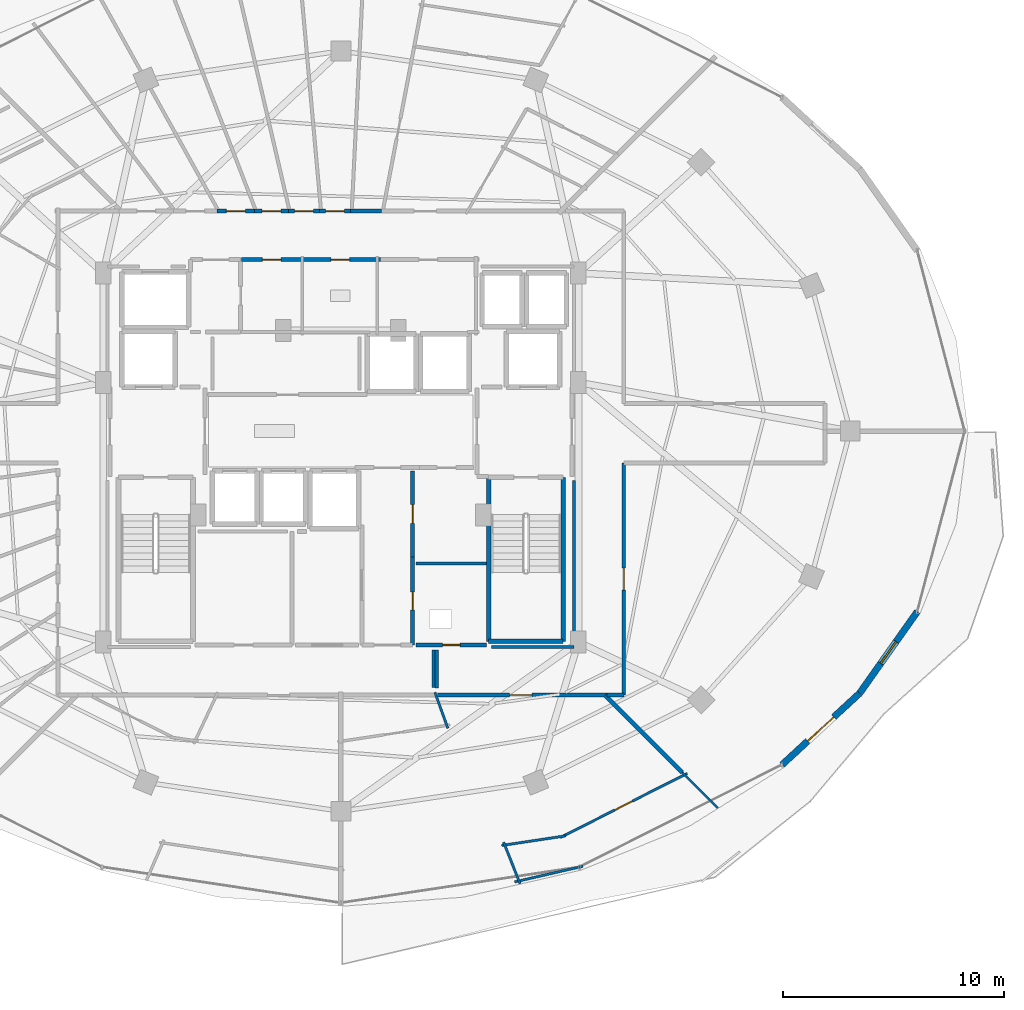
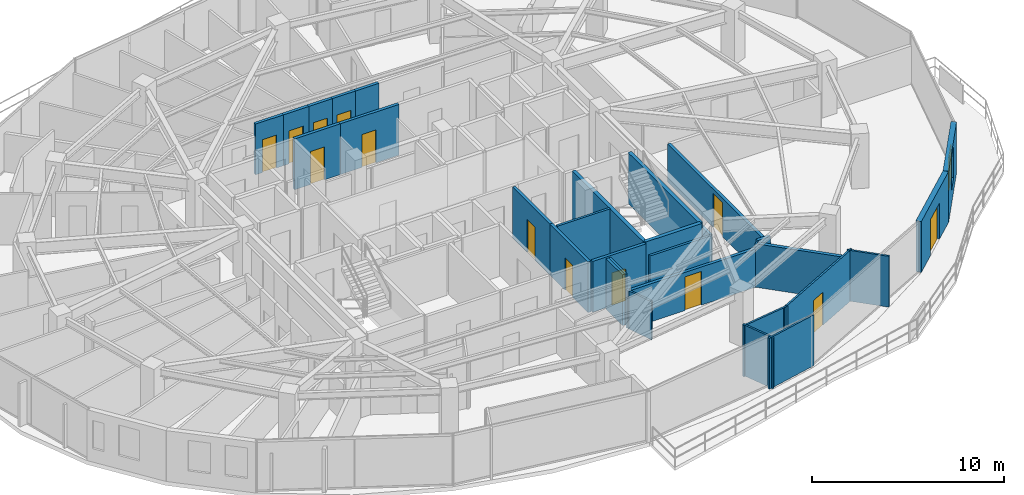
# One storey, part 25 of 31: 30 walls, 13 doors, 1 window, 14 openings.
"""IFC4 building model written with IfcOpenShell, lengths in metres."""

from ifc_helpers import new_model, si_unit, direction, frame, frame_2d, origin, place, context, subcontext, project, spatial, rectangle, extrude, material, layer, layer_set, type_object, element, fill, save


model = new_model("IFC4")

# Units and contexts
model_context = context("Model", 3, precision=1e-05, world=origin(), true_north=direction((0.0, 1.0)))
body_context = subcontext(model_context, "Body", "Model", "MODEL_VIEW")
ifc_project = project(units=[si_unit("LENGTHUNIT", "METRE"), si_unit("AREAUNIT", "SQUARE_METRE"), si_unit("VOLUMEUNIT", "CUBIC_METRE"), si_unit("PLANEANGLEUNIT", "RADIAN"), si_unit("MASSUNIT", "GRAM", prefix="KILO")], contexts=[model_context])

# Site, building, storey
site_placement = place(None, origin())
site = spatial("IfcSite", under=ifc_project, at=site_placement, CompositionType="ELEMENT")
building_placement = place(site_placement, origin())
building = spatial("IfcBuilding", under=site, at=building_placement, Name="Vorneva Point Tower", CompositionType="ELEMENT")
storey_placement = place(building_placement, frame((0.0, 0.0, 193.10009765625)))
storey = spatial("IfcBuildingStorey", under=building, at=storey_placement, Name="L52", CompositionType="ELEMENT", Elevation=193.10009765625)

# Wall, opening, door
ifc_material_1 = material(Name="Precast concrete B50 (C40/50)", Category="concrete")
ifc_layer_1 = layer(ifc_material_1, 0.300048828125)
ifc_layer_set_1 = layer_set([ifc_layer_1], Name="Precast concrete B50 (C40/50)")
wall_type_1 = type_object("IfcWallType", Name="WL-EXT-300", PredefinedType="STANDARD", material=ifc_layer_set_1)
wall_1_placement = place(storey_placement, frame((57.961669921875, 10.9033203125, 0.0), z_axis=(0.0, 0.0, 1.0), x_axis=(0.735359993374, 0.677676678177, 0.0)))
wall_1 = element("IfcWall", 1, at=wall_1_placement, inside=storey, type_object=wall_type_1, Name="L52 Pale-Metal Facade Spandrel Wall 15.1", PredefinedType="STANDARD", context=body_context, shape_type="SweptSolid", body=[
    extrude(rectangle(XDim=4.774169921875, YDim=0.300048828125, at=frame_2d((2.38720703125, 0.0))), origin(), (0.0, 0.0, 1.0), 3.239990234375),
])
opening_1_placement = place(wall_1_placement, frame((1.587158203125, 0.0, 0.0)))
opening_1 = element("IfcOpeningElement", 2, at=opening_1_placement, cuts=wall_1, Name="Opening BD-01", PredefinedType="OPENING", context=body_context, shape_type="SweptSolid", body=[
    extrude(rectangle(XDim=1.60009765625, YDim=2.300048828125, at=frame_2d((0.800048828125, 1.14990234375))), frame((0.0, 0.1650390625, 0.0), z_axis=(0.0, -1.0, 0.0), x_axis=(1.0, 0.0, 0.0)), (0.0, 0.0, 1.0), 0.329833984375),
])
ifc_material_2 = material(Name="Pale anodised aluminium", Category="aluminium")
door_type_1 = type_object("IfcDoorType", Name="DR-BAL-1600", OperationType="SLIDING_TO_LEFT", PredefinedType="DOOR", material=ifc_material_2)
door_1_placement = place(opening_1_placement, origin())
door_1 = element("IfcDoor", 3, at=door_1_placement, inside=storey, type_object=door_type_1, Name="L52 Balcony Terrace Access Door 15", OperationType="SLIDING_TO_LEFT", OverallHeight=2.300048828125, OverallWidth=1.60009765625, PredefinedType="DOOR", context=body_context, shape_type="SweptSolid", body=[
    extrude(rectangle(XDim=1.60009765625, YDim=2.300048828125, at=frame_2d((0.800048828125, 1.14990234375))), frame((0.0, 0.02490234375, 0.0), z_axis=(0.0, -1.0, 0.0), x_axis=(1.0, 0.0, 0.0)), (0.0, 0.0, 1.0), 0.050048828125),
])
fill(opening_1, door_1)

# Wall, opening, window
wall_2_placement = place(storey_placement, frame((61.472412109375, 14.138671875, 0.0), z_axis=(0.0, 0.0, 1.0), x_axis=(0.577168747264, 0.81662490605, 0.0)))
wall_2 = element("IfcWall", 4, at=wall_2_placement, inside=storey, type_object=wall_type_1, Name="L52 Pale-Metal Facade Spandrel Wall 15.2", PredefinedType="STANDARD", context=body_context, shape_type="SweptSolid", body=[
    extrude(rectangle(XDim=4.519775390625, YDim=0.300048828125, at=frame_2d((2.259765625, 0.0))), origin(), (0.0, 0.0, 1.0), 3.239990234375),
])
opening_2_placement = place(wall_2_placement, frame((1.659912109375, 0.0, 0.85009765625)))
opening_2 = element("IfcOpeningElement", 5, at=opening_2_placement, cuts=wall_2, Name="Opening W-04", PredefinedType="OPENING", context=body_context, shape_type="SweptSolid", body=[
    extrude(rectangle(XDim=1.199951171875, YDim=2.10009765625, at=frame_2d((0.60009765625, 1.050048828125))), frame((0.0, 0.1650390625, 0.0), z_axis=(0.0, -1.0, 0.0), x_axis=(1.0, 0.0, 0.0)), (0.0, 0.0, 1.0), 0.329833984375),
])
ifc_material_3 = material(Name="Double low-e laminated glass IGU", Category="glass")
window_type = type_object("IfcWindowType", Name="WN-RES-1200", PartitioningType="SINGLE_PANEL", PredefinedType="WINDOW", material=ifc_material_3)
window_placement = place(opening_2_placement, origin())
window = element("IfcWindow", 6, at=window_placement, inside=storey, type_object=window_type, Name="L52 Facade Window 15", OverallHeight=2.10009765625, OverallWidth=1.199951171875, PartitioningType="SINGLE_PANEL", PredefinedType="WINDOW", context=body_context, shape_type="SweptSolid", body=[
    extrude(rectangle(XDim=1.199951171875, YDim=2.10009765625, at=frame_2d((0.60009765625, 1.050048828125))), frame((0.0, 0.030029296875, 0.0), z_axis=(0.0, -1.0, 0.0), x_axis=(1.0, 0.0, 0.0)), (0.0, 0.0, 1.0), 0.06005859375),
])
fill(opening_2, window)

# Walls
ifc_material_4 = material(Name="Fire-rated acoustic gypsum stud partition", Category="gypsum")
ifc_layer_2 = layer(ifc_material_4, 0.110107421875)
ifc_layer_set_2 = layer_set([ifc_layer_2], Name="Fire-rated acoustic gypsum stud partition")
wall_type_2 = type_object("IfcWallType", Name="WL-PART-110", PredefinedType="PARTITIONING", material=ifc_layer_set_2)
wall_3_placement = place(storey_placement, frame((42.25439453125, 14.181640625, 0.0), z_axis=(0.0, 0.0, 1.0), x_axis=(0.339193876721, -0.940716489701, 0.0)))
element("IfcWall", 7, at=wall_3_placement, inside=storey, type_object=wall_type_2, Name="L52 Interior Partition 120", PredefinedType="PARTITIONING", context=body_context, shape_type="SweptSolid", body=[
    extrude(rectangle(XDim=1.73095703125, YDim=0.110107421875, at=frame_2d((0.865478515625, 0.0))), origin(), (0.0, 0.0, 1.0), 2.431884765625),
])
wall_4_placement = place(storey_placement, frame((46.109619140625, 5.516845703125, 0.0), z_axis=(0.0, 0.0, 1.0), x_axis=(-0.368148258243, 0.929767099844, 0.0)))
element("IfcWall", 8, at=wall_4_placement, inside=storey, type_object=wall_type_2, Name="L52 Interior Partition 122", PredefinedType="PARTITIONING", context=body_context, shape_type="SweptSolid", body=[
    extrude(rectangle(XDim=2.026611328125, YDim=0.110107421875, at=frame_2d((1.01318359375, 0.0))), origin(), (0.0, 0.0, 1.0), 3.239990234375),
])
wall_5_placement = place(storey_placement, frame((45.276611328125, 7.25, 0.0), z_axis=(0.0, 0.0, 1.0), x_axis=(0.988815285508, 0.149145335648, 0.0)))
element("IfcWall", 9, at=wall_5_placement, inside=storey, type_object=wall_type_2, Name="L52 Interior Partition 123", PredefinedType="PARTITIONING", context=body_context, shape_type="SweptSolid", body=[
    extrude(rectangle(XDim=2.936767578125, YDim=0.110107421875, at=frame_2d((1.46826171875, 0.0))), origin(), (0.0, 0.0, 1.0), 3.239990234375),
])

# Wall, opening, door
wall_6_placement = place(storey_placement, frame((47.9169921875, 7.60400390625, 0.0), z_axis=(0.0, 0.0, 1.0), x_axis=(0.892549884102, 0.450948671569, 0.0)))
wall_6 = element("IfcWall", 10, at=wall_6_placement, inside=storey, type_object=wall_type_2, Name="L52 Interior Partition 124", PredefinedType="PARTITIONING", context=body_context, shape_type="SweptSolid", body=[
    extrude(rectangle(XDim=6.451171875, YDim=0.110107421875, at=frame_2d((3.2255859375, 0.0))), origin(), (0.0, 0.0, 1.0), 3.239990234375),
])
opening_3_placement = place(wall_6_placement, frame((2.775634765625, 0.0, 0.0)))
opening_3 = element("IfcOpeningElement", 11, at=opening_3_placement, cuts=wall_6, Name="Opening ID-01", PredefinedType="OPENING", context=body_context, shape_type="SweptSolid", body=[
    extrude(rectangle(XDim=0.89990234375, YDim=2.10009765625, at=frame_2d((0.449951171875, 1.050048828125))), frame((0.0, 0.06982421875, 0.0), z_axis=(0.0, -1.0, 0.0), x_axis=(1.0, 0.0, 0.0)), (0.0, 0.0, 1.0), 0.139892578125),
])
ifc_material_5 = material(Name="Engineered oak fire-rated door leaf", Category="wood")
door_type_2 = type_object("IfcDoorType", Name="DR-ROOM-900", OperationType="NOTDEFINED", PredefinedType="DOOR", material=ifc_material_5)
door_2_placement = place(opening_3_placement, origin())
door_2 = element("IfcDoor", 12, at=door_2_placement, inside=storey, type_object=door_type_2, Name="L52 Door Studio Apartment L52-04 / Kitchen L52-04", OperationType="SINGLE_SWING_RIGHT", OverallHeight=2.10009765625, OverallWidth=0.89990234375, PredefinedType="DOOR", context=body_context, shape_type="SweptSolid", body=[
    extrude(rectangle(XDim=0.89990234375, YDim=2.10009765625, at=frame_2d((0.449951171875, 1.050048828125))), frame((0.0, 0.02490234375, 0.0), z_axis=(0.0, -1.0, 0.0), x_axis=(1.0, 0.0, 0.0)), (0.0, 0.0, 1.0), 0.050048828125),
])
fill(opening_3, door_2)

# Walls
wall_7_placement = place(storey_placement, frame((53.450927734375, 10.549072265625, 0.0), z_axis=(0.0, 0.0, 1.0), x_axis=(0.707106781187, -0.707106781187, 0.0)))
element("IfcWall", 13, at=wall_7_placement, inside=storey, type_object=wall_type_2, Name="L52 Interior Partition 125", PredefinedType="PARTITIONING", context=body_context, shape_type="SweptSolid", body=[
    extrude(rectangle(XDim=2.27294921875, YDim=0.110107421875, at=frame_2d((1.136474609375, 0.0))), origin(), (0.0, 0.0, 1.0), 3.239990234375),
])
wall_8_placement = place(storey_placement, frame((45.862548828125, 5.601806640625, 0.0), z_axis=(0.0, 0.0, 1.0), x_axis=(0.974621780148, 0.223857958671, 0.0)))
element("IfcWall", 14, at=wall_8_placement, inside=storey, type_object=wall_type_2, Name="L52 Interior Partition 126", PredefinedType="PARTITIONING", context=body_context, shape_type="SweptSolid", body=[
    extrude(rectangle(XDim=3.169189453125, YDim=0.110107421875, at=frame_2d((1.58447265625, 0.0))), origin(), (0.0, 0.0, 1.0), 3.239990234375),
])
ifc_layer_3 = layer(ifc_material_4, 0.139892578125)
ifc_layer_set_3 = layer_set([ifc_layer_3], Name="Fire-rated acoustic gypsum stud partition")
wall_type_3 = type_object("IfcWallType", Name="WL-PART-140", PredefinedType="PARTITIONING", material=ifc_layer_set_3)
wall_9_placement = place(storey_placement, frame((44.60009765625, 20.0, 0.0), z_axis=(0.0, 0.0, 1.0), x_axis=(-1.0, 0.0, 0.0)))
element("IfcWall", 15, at=wall_9_placement, inside=storey, type_object=wall_type_3, Name="L52 Interior Partition 017", PredefinedType="PARTITIONING", context=body_context, shape_type="SweptSolid", body=[
    extrude(rectangle(XDim=3.2001953125, YDim=0.139892578125, at=frame_2d((1.60009765625, 0.0))), origin(), (0.0, 0.0, 1.0), 3.239990234375),
])
wall_10_placement = place(storey_placement, frame((48.550048828125, 16.239990234375, 0.0), z_axis=(0.0, 0.0, 1.0), x_axis=(0.0, 1.0, 0.0)))
element("IfcWall", 16, at=wall_10_placement, inside=storey, type_object=wall_type_3, Name="L52 Interior Closure Partition 138", PredefinedType="PARTITIONING", context=body_context, shape_type="SweptSolid", body=[
    extrude(rectangle(XDim=7.513916015625, YDim=0.139892578125, at=frame_2d((3.7568359375, 0.0))), origin(), (0.0, 0.0, 1.0), 2.431884765625),
])
wall_11_placement = place(storey_placement, frame((42.199951171875, 16.10009765625, 0.0), z_axis=(0.0, 0.0, 1.0), x_axis=(0.0, -1.0, 0.0)))
element("IfcWall", 17, at=wall_11_placement, inside=storey, type_object=wall_type_3, Name="L52 Interior Closure Partition 146", PredefinedType="PARTITIONING", context=body_context, shape_type="SweptSolid", body=[
    extrude(rectangle(XDim=1.705078125, YDim=0.139892578125, at=frame_2d((0.8525390625, 0.0))), origin(), (0.0, 0.0, 1.0), 3.239990234375),
])
wall_12_placement = place(storey_placement, frame((42.340087890625, 14.384033203125, 0.0), z_axis=(0.0, 0.0, 1.0), x_axis=(0.0, 1.0, 0.0)))
element("IfcWall", 18, at=wall_12_placement, inside=storey, type_object=wall_type_3, Name="L52 Interior Closure Partition 147", PredefinedType="PARTITIONING", context=body_context, shape_type="SweptSolid", body=[
    extrude(rectangle(XDim=1.716064453125, YDim=0.139892578125, at=frame_2d((0.85791015625, 0.0))), origin(), (0.0, 0.0, 1.0), 3.239990234375),
])
wall_13_placement = place(storey_placement, frame((44.804931640625, 16.239990234375, 0.0), z_axis=(0.0, 0.0, 1.0), x_axis=(1.0, 0.0, 0.0)))
element("IfcWall", 19, at=wall_13_placement, inside=storey, type_object=wall_type_3, Name="L52 Interior Closure Partition 148", PredefinedType="PARTITIONING", context=body_context, shape_type="SweptSolid", body=[
    extrude(rectangle(XDim=3.7451171875, YDim=0.139892578125, at=frame_2d((1.87255859375, 0.0))), origin(), (0.0, 0.0, 1.0), 2.431884765625),
])

# Wall, opening, door
ifc_material_6 = material(Name="Autoclaved aerated concrete blockwork", Category="masonry")
ifc_layer_4 = layer(ifc_material_6, 0.179931640625)
ifc_layer_set_4 = layer_set([ifc_layer_4], Name="Autoclaved aerated concrete blockwork")
wall_type_4 = type_object("IfcWallType", Name="WL-PART-180", PredefinedType="PARTITIONING", material=ifc_layer_set_4)
wall_14_placement = place(storey_placement, frame((41.25, 16.320068359375, 0.0), z_axis=(0.0, 0.0, 1.0), x_axis=(0.0, 1.0, 0.0)))
wall_14 = element("IfcWall", 20, at=wall_14_placement, inside=storey, type_object=wall_type_4, Name="L52 Interior Partition 013", PredefinedType="PARTITIONING", context=body_context, shape_type="SweptSolid", body=[
    extrude(rectangle(XDim=3.98486328125, YDim=0.179931640625, at=frame_2d((1.992431640625, 0.0))), origin(), (0.0, 0.0, 1.0), 3.239990234375),
])
opening_4_placement = place(wall_14_placement, frame((1.592529296875, 0.0, 0.0)))
opening_4 = element("IfcOpeningElement", 21, at=opening_4_placement, cuts=wall_14, Name="Opening RD-01", PredefinedType="OPENING", context=body_context, shape_type="SweptSolid", body=[
    extrude(rectangle(XDim=0.800048828125, YDim=2.050048828125, at=frame_2d((0.39990234375, 1.02490234375))), frame((0.0, 0.10498046875, 0.0), z_axis=(0.0, -1.0, 0.0), x_axis=(1.0, 0.0, 0.0)), (0.0, 0.0, 1.0), 0.209716796875),
])
ifc_material_7 = material(Name="Fire-rated powder-coated steel", Category="steel")
door_type_3 = type_object("IfcDoorType", Name="DR-RSR-800", OperationType="SINGLE_SWING_LEFT", PredefinedType="DOOR", material=ifc_material_7)
door_3_placement = place(opening_4_placement, origin())
door_3 = element("IfcDoor", 22, at=door_3_placement, inside=storey, type_object=door_type_3, Name="L52 Door Core Service Lobby / Electrical Riser", OperationType="SINGLE_SWING_LEFT", OverallHeight=2.050048828125, OverallWidth=0.800048828125, PredefinedType="DOOR", context=body_context, shape_type="SweptSolid", body=[
    extrude(rectangle(XDim=0.800048828125, YDim=2.050048828125, at=frame_2d((0.39990234375, 1.02490234375))), frame((0.0, 0.02490234375, 0.0), z_axis=(0.0, -1.0, 0.0), x_axis=(1.0, 0.0, 0.0)), (0.0, 0.0, 1.0), 0.050048828125),
])
fill(opening_4, door_3)

wall_15_placement = place(storey_placement, frame((41.25, 20.304931640625, 0.0), z_axis=(0.0, 0.0, 1.0), x_axis=(0.0, 1.0, 0.0)))
wall_15 = element("IfcWall", 23, at=wall_15_placement, inside=storey, type_object=wall_type_4, Name="L52 Interior Partition 014", PredefinedType="PARTITIONING", context=body_context, shape_type="SweptSolid", body=[
    extrude(rectangle(XDim=3.89501953125, YDim=0.179931640625, at=frame_2d((1.947509765625, 0.0))), origin(), (0.0, 0.0, 1.0), 3.239990234375),
])
opening_5_placement = place(wall_15_placement, frame((1.5224609375, 0.0, 0.0)))
opening_5 = element("IfcOpeningElement", 24, at=opening_5_placement, cuts=wall_15, Name="Opening ID-02", PredefinedType="OPENING", context=body_context, shape_type="SweptSolid", body=[
    extrude(rectangle(XDim=0.85009765625, YDim=2.10009765625, at=frame_2d((0.425048828125, 1.050048828125))), frame((0.0, 0.10498046875, 0.0), z_axis=(0.0, -1.0, 0.0), x_axis=(1.0, 0.0, 0.0)), (0.0, 0.0, 1.0), 0.209716796875),
])
door_type_4 = type_object("IfcDoorType", Name="DR-BATH-850", OperationType="NOTDEFINED", PredefinedType="DOOR", material=ifc_material_5)
door_4_placement = place(opening_5_placement, origin())
door_4 = element("IfcDoor", 25, at=door_4_placement, inside=storey, type_object=door_type_4, Name="L52 Door Core Service Lobby / Valet and Parcel Room", OperationType="SINGLE_SWING_RIGHT", OverallHeight=2.10009765625, OverallWidth=0.85009765625, PredefinedType="DOOR", context=body_context, shape_type="SweptSolid", body=[
    extrude(rectangle(XDim=0.85009765625, YDim=2.10009765625, at=frame_2d((0.425048828125, 1.050048828125))), frame((0.0, 0.02490234375, 0.0), z_axis=(0.0, -1.0, 0.0), x_axis=(1.0, 0.0, 0.0)), (0.0, 0.0, 1.0), 0.050048828125),
])
fill(opening_5, door_4)

wall_16_placement = place(storey_placement, frame((41.39990234375, 16.320068359375, 0.0), z_axis=(0.0, 0.0, 1.0), x_axis=(1.0, 0.0, 0.0)))
wall_16 = element("IfcWall", 26, at=wall_16_placement, inside=storey, type_object=wall_type_4, Name="L52 Interior Partition 018", PredefinedType="PARTITIONING", context=body_context, shape_type="SweptSolid", body=[
    extrude(rectangle(XDim=3.2001953125, YDim=0.179931640625, at=frame_2d((1.60009765625, 0.0))), origin(), (0.0, 0.0, 1.0), 3.239990234375),
])
opening_6_placement = place(wall_16_placement, frame((1.199951171875, 0.0, 0.0)))
opening_6 = element("IfcOpeningElement", 27, at=opening_6_placement, cuts=wall_16, Name="Opening RD-01", PredefinedType="OPENING", context=body_context, shape_type="SweptSolid", body=[
    extrude(rectangle(XDim=0.800048828125, YDim=2.050048828125, at=frame_2d((0.39990234375, 1.02490234375))), frame((0.0, 0.10498046875, 0.0), z_axis=(0.0, -1.0, 0.0), x_axis=(1.0, 0.0, 0.0)), (0.0, 0.0, 1.0), 0.209716796875),
])
door_5_placement = place(opening_6_placement, origin())
door_5 = element("IfcDoor", 28, at=door_5_placement, inside=storey, type_object=door_type_3, Name="L52 Door Electrical Riser / L52 Circulation Corridor", OperationType="SINGLE_SWING_LEFT", OverallHeight=2.050048828125, OverallWidth=0.800048828125, PredefinedType="DOOR", context=body_context, shape_type="SweptSolid", body=[
    extrude(rectangle(XDim=0.800048828125, YDim=2.050048828125, at=frame_2d((0.39990234375, 1.02490234375))), frame((0.0, 0.02490234375, 0.0), z_axis=(0.0, -1.0, 0.0), x_axis=(1.0, 0.0, 0.0)), (0.0, 0.0, 1.0), 0.050048828125),
])
fill(opening_6, door_5)

wall_17_placement = place(storey_placement, frame((36.25, 33.760009765625, 0.0), z_axis=(0.0, 0.0, 1.0), x_axis=(-1.0, 0.0, 0.0)))
wall_17 = element("IfcWall", 29, at=wall_17_placement, inside=storey, type_object=wall_type_4, Name="L52 Interior Partition 021", PredefinedType="PARTITIONING", context=body_context, shape_type="SweptSolid", body=[
    extrude(rectangle(XDim=2.75, YDim=0.179931640625, at=frame_2d((1.375, 0.0))), origin(), (0.0, 0.0, 1.0), 3.239990234375),
])
opening_7_placement = place(wall_17_placement, frame((0.949951171875, 0.0, 0.0)))
opening_7 = element("IfcOpeningElement", 30, at=opening_7_placement, cuts=wall_17, Name="Opening ID-02", PredefinedType="OPENING", context=body_context, shape_type="SweptSolid", body=[
    extrude(rectangle(XDim=0.85009765625, YDim=2.10009765625, at=frame_2d((0.425048828125, 1.050048828125))), frame((0.0, 0.10498046875, 0.0), z_axis=(0.0, -1.0, 0.0), x_axis=(1.0, 0.0, 0.0)), (0.0, 0.0, 1.0), 0.209716796875),
])
door_6_placement = place(opening_7_placement, origin())
door_6 = element("IfcDoor", 31, at=door_6_placement, inside=storey, type_object=door_type_4, Name="L52 Door Core Supply Store / L52 Circulation Corridor", OperationType="SINGLE_SWING_RIGHT", OverallHeight=2.10009765625, OverallWidth=0.85009765625, PredefinedType="DOOR", context=body_context, shape_type="SweptSolid", body=[
    extrude(rectangle(XDim=0.85009765625, YDim=2.10009765625, at=frame_2d((0.425048828125, 1.050048828125))), frame((0.0, 0.02490234375, 0.0), z_axis=(0.0, -1.0, 0.0), x_axis=(1.0, 0.0, 0.0)), (0.0, 0.0, 1.0), 0.050048828125),
])
fill(opening_7, door_6)

wall_18_placement = place(storey_placement, frame((39.7900390625, 33.760009765625, 0.0), z_axis=(0.0, 0.0, 1.0), x_axis=(-1.0, 0.0, 0.0)))
wall_18 = element("IfcWall", 32, at=wall_18_placement, inside=storey, type_object=wall_type_4, Name="L52 Interior Partition 024", PredefinedType="PARTITIONING", context=body_context, shape_type="SweptSolid", body=[
    extrude(rectangle(XDim=3.630126953125, YDim=0.179931640625, at=frame_2d((1.81494140625, 0.0))), origin(), (0.0, 0.0, 1.0), 3.239990234375),
])
opening_8_placement = place(wall_18_placement, frame((1.389892578125, 0.0, 0.0)))
opening_8 = element("IfcOpeningElement", 33, at=opening_8_placement, cuts=wall_18, Name="Opening ID-02", PredefinedType="OPENING", context=body_context, shape_type="SweptSolid", body=[
    extrude(rectangle(XDim=0.85009765625, YDim=2.10009765625, at=frame_2d((0.425048828125, 1.050048828125))), frame((0.0, 0.10498046875, 0.0), z_axis=(0.0, -1.0, 0.0), x_axis=(1.0, 0.0, 0.0)), (0.0, 0.0, 1.0), 0.209716796875),
])
door_7_placement = place(opening_8_placement, origin())
door_7 = element("IfcDoor", 34, at=door_7_placement, inside=storey, type_object=door_type_4, Name="L52 Door Accessible WC / L52 Circulation Corridor", OperationType="SINGLE_SWING_LEFT", OverallHeight=2.10009765625, OverallWidth=0.85009765625, PredefinedType="DOOR", context=body_context, shape_type="SweptSolid", body=[
    extrude(rectangle(XDim=0.85009765625, YDim=2.10009765625, at=frame_2d((0.425048828125, 1.050048828125))), frame((0.0, 0.02490234375, 0.0), z_axis=(0.0, -1.0, 0.0), x_axis=(1.0, 0.0, 0.0)), (0.0, 0.0, 1.0), 0.050048828125),
])
fill(opening_8, door_7)

# Wall
wall_19_placement = place(storey_placement, frame((39.837890625, 35.949951171875, 0.0), z_axis=(0.0, 0.0, 1.0), x_axis=(-1.0, 0.0, 0.0)))
element("IfcWall", 35, at=wall_19_placement, inside=storey, type_object=wall_type_4, Name="L52 Interior Partition 032", PredefinedType="PARTITIONING", context=body_context, shape_type="SweptSolid", body=[
    extrude(rectangle(XDim=1.406005859375, YDim=0.179931640625, at=frame_2d((0.703125, 0.0))), origin(), (0.0, 0.0, 1.0), 3.239990234375),
])

# Wall, opening, door
wall_20_placement = place(storey_placement, frame((38.431884765625, 35.949951171875, 0.0), z_axis=(0.0, 0.0, 1.0), x_axis=(-1.0, 0.0, 0.0)))
wall_20 = element("IfcWall", 36, at=wall_20_placement, inside=storey, type_object=wall_type_4, Name="L52 Interior Partition 033", PredefinedType="PARTITIONING", context=body_context, shape_type="SweptSolid", body=[
    extrude(rectangle(XDim=1.387939453125, YDim=0.179931640625, at=frame_2d((0.69384765625, 0.0))), origin(), (0.0, 0.0, 1.0), 3.239990234375),
])
opening_9_placement = place(wall_20_placement, frame((0.26904296875, 0.0, 0.0)))
opening_9 = element("IfcOpeningElement", 37, at=opening_9_placement, cuts=wall_20, Name="Opening ID-02", PredefinedType="OPENING", context=body_context, shape_type="SweptSolid", body=[
    extrude(rectangle(XDim=0.85009765625, YDim=2.10009765625, at=frame_2d((0.425048828125, 1.050048828125))), frame((0.0, 0.10498046875, 0.0), z_axis=(0.0, -1.0, 0.0), x_axis=(1.0, 0.0, 0.0)), (0.0, 0.0, 1.0), 0.209716796875),
])
door_8_placement = place(opening_9_placement, origin())
door_8 = element("IfcDoor", 38, at=door_8_placement, inside=storey, type_object=door_type_4, Name="L52 Access Door L52 Circulation Corridor", OperationType="SINGLE_SWING_LEFT", OverallHeight=2.10009765625, OverallWidth=0.85009765625, PredefinedType="DOOR", context=body_context, shape_type="SweptSolid", body=[
    extrude(rectangle(XDim=0.85009765625, YDim=2.10009765625, at=frame_2d((0.425048828125, 1.050048828125))), frame((0.0, 0.02490234375, 0.0), z_axis=(0.0, -1.0, 0.0), x_axis=(1.0, 0.0, 0.0)), (0.0, 0.0, 1.0), 0.050048828125),
])
fill(opening_9, door_8)

wall_21_placement = place(storey_placement, frame((37.0439453125, 35.949951171875, 0.0), z_axis=(0.0, 0.0, 1.0), x_axis=(-1.0, 0.0, 0.0)))
wall_21 = element("IfcWall", 39, at=wall_21_placement, inside=storey, type_object=wall_type_4, Name="L52 Interior Partition 034", PredefinedType="PARTITIONING", context=body_context, shape_type="SweptSolid", body=[
    extrude(rectangle(XDim=1.423828125, YDim=0.179931640625, at=frame_2d((0.7119140625, 0.0))), origin(), (0.0, 0.0, 1.0), 3.239990234375),
])
opening_10_placement = place(wall_21_placement, frame((0.287109375, 0.0, 0.0)))
opening_10 = element("IfcOpeningElement", 40, at=opening_10_placement, cuts=wall_21, Name="Opening ID-02", PredefinedType="OPENING", context=body_context, shape_type="SweptSolid", body=[
    extrude(rectangle(XDim=0.85009765625, YDim=2.10009765625, at=frame_2d((0.425048828125, 1.050048828125))), frame((0.0, 0.10498046875, 0.0), z_axis=(0.0, -1.0, 0.0), x_axis=(1.0, 0.0, 0.0)), (0.0, 0.0, 1.0), 0.209716796875),
])
door_9_placement = place(opening_10_placement, origin())
door_9 = element("IfcDoor", 41, at=door_9_placement, inside=storey, type_object=door_type_4, Name="L52 Access Door L52 Circulation Corridor", OperationType="SINGLE_SWING_RIGHT", OverallHeight=2.10009765625, OverallWidth=0.85009765625, PredefinedType="DOOR", context=body_context, shape_type="SweptSolid", body=[
    extrude(rectangle(XDim=0.85009765625, YDim=2.10009765625, at=frame_2d((0.425048828125, 1.050048828125))), frame((0.0, 0.02490234375, 0.0), z_axis=(0.0, -1.0, 0.0), x_axis=(1.0, 0.0, 0.0)), (0.0, 0.0, 1.0), 0.050048828125),
])
fill(opening_10, door_9)

wall_22_placement = place(storey_placement, frame((35.6201171875, 35.949951171875, 0.0), z_axis=(0.0, 0.0, 1.0), x_axis=(-1.0, 0.0, 0.0)))
wall_22 = element("IfcWall", 42, at=wall_22_placement, inside=storey, type_object=wall_type_4, Name="L52 Interior Partition 035", PredefinedType="PARTITIONING", context=body_context, shape_type="SweptSolid", body=[
    extrude(rectangle(XDim=1.52099609375, YDim=0.179931640625, at=frame_2d((0.760498046875, 0.0))), origin(), (0.0, 0.0, 1.0), 3.239990234375),
])
opening_11_placement = place(wall_22_placement, frame((0.33544921875, 0.0, 0.0)))
opening_11 = element("IfcOpeningElement", 43, at=opening_11_placement, cuts=wall_22, Name="Opening ID-02", PredefinedType="OPENING", context=body_context, shape_type="SweptSolid", body=[
    extrude(rectangle(XDim=0.85009765625, YDim=2.10009765625, at=frame_2d((0.425048828125, 1.050048828125))), frame((0.0, 0.10498046875, 0.0), z_axis=(0.0, -1.0, 0.0), x_axis=(1.0, 0.0, 0.0)), (0.0, 0.0, 1.0), 0.209716796875),
])
door_10_placement = place(opening_11_placement, origin())
door_10 = element("IfcDoor", 44, at=door_10_placement, inside=storey, type_object=door_type_4, Name="L52 Access Door L52 Circulation Corridor", OperationType="SINGLE_SWING_LEFT", OverallHeight=2.10009765625, OverallWidth=0.85009765625, PredefinedType="DOOR", context=body_context, shape_type="SweptSolid", body=[
    extrude(rectangle(XDim=0.85009765625, YDim=2.10009765625, at=frame_2d((0.425048828125, 1.050048828125))), frame((0.0, 0.02490234375, 0.0), z_axis=(0.0, -1.0, 0.0), x_axis=(1.0, 0.0, 0.0)), (0.0, 0.0, 1.0), 0.050048828125),
])
fill(opening_11, door_10)

wall_23_placement = place(storey_placement, frame((34.09912109375, 35.949951171875, 0.0), z_axis=(0.0, 0.0, 1.0), x_axis=(-1.0, 0.0, 0.0)))
wall_23 = element("IfcWall", 45, at=wall_23_placement, inside=storey, type_object=wall_type_4, Name="L52 Interior Partition 036", PredefinedType="PARTITIONING", context=body_context, shape_type="SweptSolid", body=[
    extrude(rectangle(XDim=1.696044921875, YDim=0.179931640625, at=frame_2d((0.84814453125, 0.0))), origin(), (0.0, 0.0, 1.0), 3.239990234375),
])
opening_12_placement = place(wall_23_placement, frame((0.423095703125, 0.0, 0.0)))
opening_12 = element("IfcOpeningElement", 46, at=opening_12_placement, cuts=wall_23, Name="Opening ID-02", PredefinedType="OPENING", context=body_context, shape_type="SweptSolid", body=[
    extrude(rectangle(XDim=0.85009765625, YDim=2.10009765625, at=frame_2d((0.425048828125, 1.050048828125))), frame((0.0, 0.10498046875, 0.0), z_axis=(0.0, -1.0, 0.0), x_axis=(1.0, 0.0, 0.0)), (0.0, 0.0, 1.0), 0.209716796875),
])
door_11_placement = place(opening_12_placement, origin())
door_11 = element("IfcDoor", 47, at=door_11_placement, inside=storey, type_object=door_type_4, Name="L52 Access Door L52 Circulation Corridor", OperationType="SINGLE_SWING_RIGHT", OverallHeight=2.10009765625, OverallWidth=0.85009765625, PredefinedType="DOOR", context=body_context, shape_type="SweptSolid", body=[
    extrude(rectangle(XDim=0.85009765625, YDim=2.10009765625, at=frame_2d((0.425048828125, 1.050048828125))), frame((0.0, 0.02490234375, 0.0), z_axis=(0.0, -1.0, 0.0), x_axis=(1.0, 0.0, 0.0)), (0.0, 0.0, 1.0), 0.050048828125),
])
fill(opening_12, door_11)

wall_24_placement = place(storey_placement, frame((42.241943359375, 14.050048828125, 0.0), z_axis=(0.0, 0.0, 1.0), x_axis=(1.0, 0.0, 0.0)))
wall_24 = element("IfcWall", 48, at=wall_24_placement, inside=storey, type_object=wall_type_4, Name="L52 Interior Partition 058", PredefinedType="PARTITIONING", context=body_context, shape_type="SweptSolid", body=[
    extrude(rectangle(XDim=7.79296875, YDim=0.179931640625, at=frame_2d((3.896484375, 0.0))), origin(), (0.0, 0.0, 1.0), 2.431884765625),
])
opening_13_placement = place(wall_24_placement, frame((3.396484375, 0.0, 0.0)))
opening_13 = element("IfcOpeningElement", 49, at=opening_13_placement, cuts=wall_24, Name="Opening UD-01", PredefinedType="OPENING", context=body_context, shape_type="SweptSolid", body=[
    extrude(rectangle(XDim=1.0, YDim=2.14990234375, at=frame_2d((0.5, 1.074951171875))), frame((0.0, 0.10498046875, 0.0), z_axis=(0.0, -1.0, 0.0), x_axis=(1.0, 0.0, 0.0)), (0.0, 0.0, 1.0), 0.209716796875),
])
door_type_5 = type_object("IfcDoorType", Name="DR-UNIT-1000", OperationType="NOTDEFINED", PredefinedType="DOOR", material=ifc_material_5)
door_12_placement = place(opening_13_placement, origin())
door_12 = element("IfcDoor", 50, at=door_12_placement, inside=storey, type_object=door_type_5, Name="L52 Door L52 Circulation Corridor / Studio Apartment L52-04", OperationType="SINGLE_SWING_RIGHT", OverallHeight=2.14990234375, OverallWidth=1.0, PredefinedType="DOOR", context=body_context, shape_type="SweptSolid", body=[
    extrude(rectangle(XDim=1.0, YDim=2.14990234375, at=frame_2d((0.5, 1.074951171875))), frame((0.0, 0.02490234375, 0.0), z_axis=(0.0, -1.0, 0.0), x_axis=(1.0, 0.0, 0.0)), (0.0, 0.0, 1.0), 0.050048828125),
])
fill(opening_13, door_12)

# Wall
wall_25_placement = place(storey_placement, frame((50.034912109375, 14.050048828125, 0.0), z_axis=(0.0, 0.0, 1.0), x_axis=(1.0, 0.0, 0.0)))
element("IfcWall", 51, at=wall_25_placement, inside=storey, type_object=wall_type_4, Name="L52 Interior Partition 060", PredefinedType="PARTITIONING", context=body_context, shape_type="SweptSolid", body=[
    extrude(rectangle(XDim=0.76513671875, YDim=0.179931640625, at=frame_2d((0.382568359375, 0.0))), origin(), (0.0, 0.0, 1.0), 2.921875),
])

# Wall, opening, door
wall_26_placement = place(storey_placement, frame((50.800048828125, 14.050048828125, 0.0), z_axis=(0.0, 0.0, 1.0), x_axis=(0.0, 1.0, 0.0)))
wall_26 = element("IfcWall", 52, at=wall_26_placement, inside=storey, type_object=wall_type_4, Name="L52 Interior Partition 061", PredefinedType="PARTITIONING", context=body_context, shape_type="SweptSolid", body=[
    extrude(rectangle(XDim=10.5, YDim=0.179931640625, at=frame_2d((5.25, 0.0))), origin(), (0.0, 0.0, 1.0), 2.431884765625),
])
opening_14_placement = place(wall_26_placement, frame((4.75, 0.0, 0.0)))
opening_14 = element("IfcOpeningElement", 53, at=opening_14_placement, cuts=wall_26, Name="Opening UD-01", PredefinedType="OPENING", context=body_context, shape_type="SweptSolid", body=[
    extrude(rectangle(XDim=1.0, YDim=2.14990234375, at=frame_2d((0.5, 1.074951171875))), frame((0.0, 0.10498046875, 0.0), z_axis=(0.0, -1.0, 0.0), x_axis=(1.0, 0.0, 0.0)), (0.0, 0.0, 1.0), 0.209716796875),
])
door_13_placement = place(opening_14_placement, origin())
door_13 = element("IfcDoor", 54, at=door_13_placement, inside=storey, type_object=door_type_5, Name="L52 Door L52 Circulation Corridor / Residents Sky Lounge L52-05", OperationType="SINGLE_SWING_LEFT", OverallHeight=2.14990234375, OverallWidth=1.0, PredefinedType="DOOR", context=body_context, shape_type="SweptSolid", body=[
    extrude(rectangle(XDim=1.0, YDim=2.14990234375, at=frame_2d((0.5, 1.074951171875))), frame((0.0, 0.02490234375, 0.0), z_axis=(0.0, -1.0, 0.0), x_axis=(1.0, 0.0, 0.0)), (0.0, 0.0, 1.0), 0.050048828125),
])
fill(opening_14, door_13)

# Walls
ifc_layer_5 = layer(ifc_material_6, 0.199951171875)
ifc_layer_set_5 = layer_set([ifc_layer_5], Name="Autoclaved aerated concrete blockwork")
wall_type_5 = type_object("IfcWallType", Name="WL-PART-200", PredefinedType="PARTITIONING", material=ifc_layer_set_5)
wall_27_placement = place(storey_placement, frame((53.450927734375, 10.549072265625, 0.0), z_axis=(0.0, 0.0, 1.0), x_axis=(-0.707106781187, 0.707106781187, 0.0)))
element("IfcWall", 55, at=wall_27_placement, inside=storey, type_object=wall_type_5, Name="L52 Interior Partition 127", PredefinedType="PARTITIONING", context=body_context, shape_type="SweptSolid", body=[
    extrude(rectangle(XDim=4.951171875, YDim=0.199951171875, at=frame_2d((2.4755859375, 0.0))), origin(), (0.0, 0.0, 1.0), 2.77392578125),
])
ifc_material_8 = material(Name="Concrete B50 (C40/50)", Category="concrete")
ifc_layer_6 = layer(ifc_material_8, 0.219970703125)
ifc_layer_set_6 = layer_set([ifc_layer_6], Name="Concrete B50 (C40/50)")
wall_type_6 = type_object("IfcWallType", Name="WL-SHFT-220", PredefinedType="SOLIDWALL", material=ifc_layer_set_6)
wall_28_placement = place(storey_placement, frame((48.06005859375, 23.909912109375, 0.0), z_axis=(0.0, 0.0, 1.0), x_axis=(0.0, -1.0, 0.0)))
element("IfcWall", 56, at=wall_28_placement, inside=storey, type_object=wall_type_6, Name="L52 Exit Stair ST2 Shaft Wall right", PredefinedType="SOLIDWALL", context=body_context, shape_type="SweptSolid", body=[
    extrude(rectangle(XDim=7.419921875, YDim=0.219970703125, at=frame_2d((3.7099609375, 0.0))), origin(), (0.0, 0.0, 1.0), 3.239990234375),
])
wall_29_placement = place(storey_placement, frame((48.06005859375, 16.489990234375, 0.0), z_axis=(0.0, 0.0, 1.0), x_axis=(-1.0, 0.0, 0.0)))
element("IfcWall", 57, at=wall_29_placement, inside=storey, type_object=wall_type_6, Name="L52 Exit Stair ST2 Shaft Wall far", PredefinedType="SOLIDWALL", context=body_context, shape_type="SweptSolid", body=[
    extrude(rectangle(XDim=3.3701171875, YDim=0.219970703125, at=frame_2d((1.68505859375, 0.0))), origin(), (0.0, 0.0, 1.0), 3.239990234375),
])
wall_30_placement = place(storey_placement, frame((44.68994140625, 16.489990234375, 0.0), z_axis=(0.0, 0.0, 1.0), x_axis=(0.0, 1.0, 0.0)))
element("IfcWall", 58, at=wall_30_placement, inside=storey, type_object=wall_type_6, Name="L52 Exit Stair ST2 Shaft Wall left", PredefinedType="SOLIDWALL", context=body_context, shape_type="SweptSolid", body=[
    extrude(rectangle(XDim=7.419921875, YDim=0.219970703125, at=frame_2d((3.7099609375, 0.0))), origin(), (0.0, 0.0, 1.0), 3.239990234375),
])

save(model, "model.ifc")
